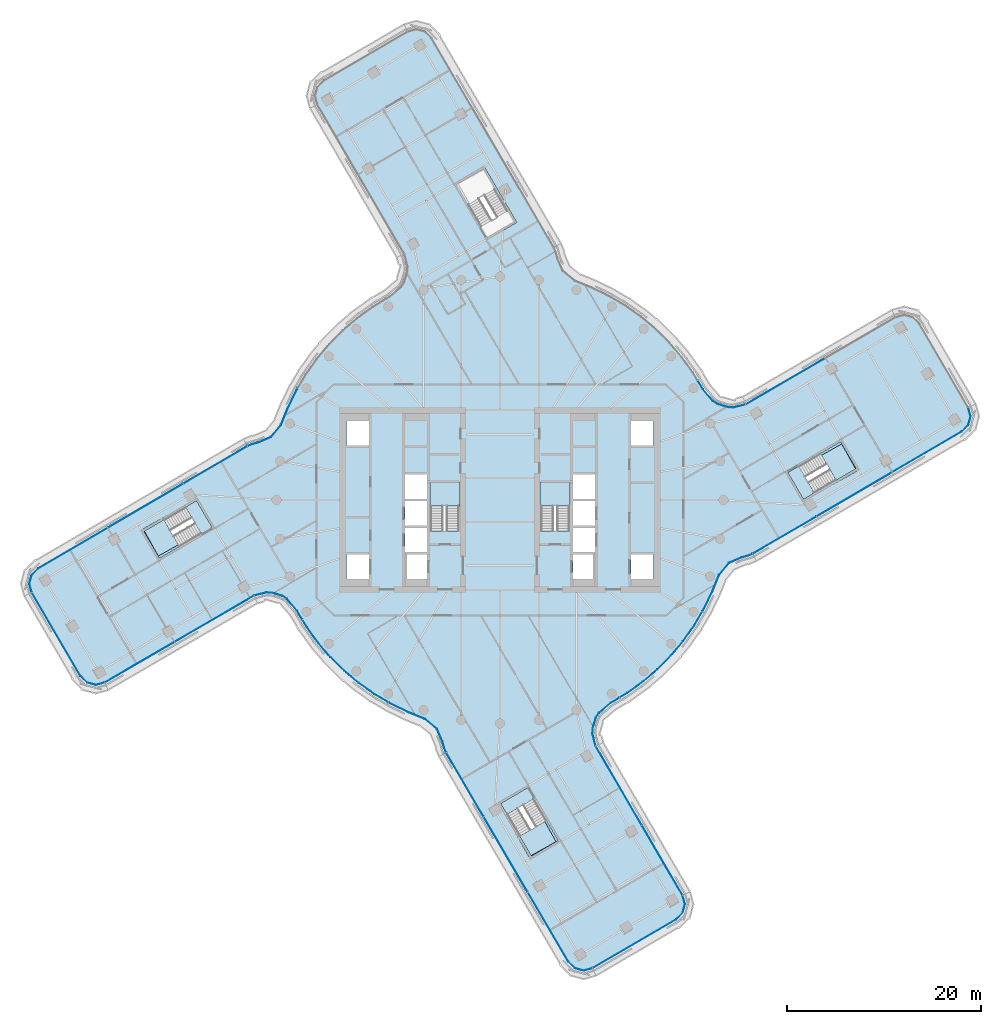
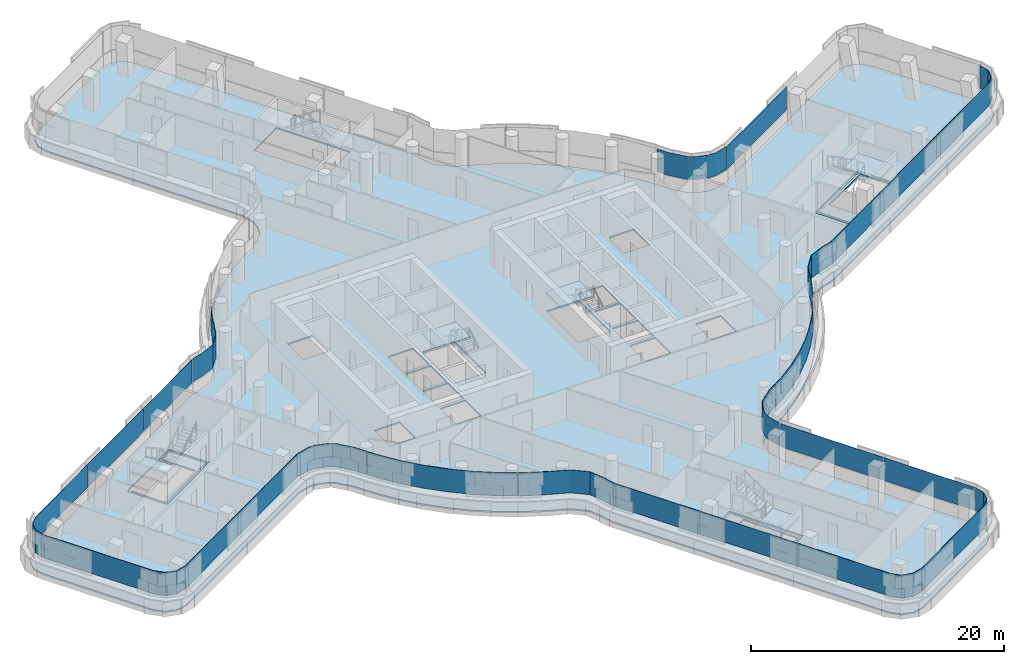
# One storey, part 19 of 35: 24 plates, 9 slabs, 17 elements without a shape of their own.
"""IFC4 building model written with IfcOpenShell, lengths in metres."""

from ifc_helpers import new_model, si_unit, direction, frame, origin, place, context, subcontext, project, spatial, polyline, outline, extrude, material, layer, layer_set, type_object, element, aggregate, save


model = new_model("IFC4")

# Units and contexts
model_context = context("Model", 3, precision=1e-05, world=origin(), true_north=direction((0.0, 1.0)))
body_context = subcontext(model_context, "Body", "Model", "MODEL_VIEW")
ifc_project = project(units=[si_unit("LENGTHUNIT", "METRE"), si_unit("AREAUNIT", "SQUARE_METRE"), si_unit("VOLUMEUNIT", "CUBIC_METRE"), si_unit("PLANEANGLEUNIT", "RADIAN"), si_unit("MASSUNIT", "GRAM", prefix="KILO")], contexts=[model_context])

# Site, building, storey
site_placement = place(None, origin())
site = spatial("IfcSite", under=ifc_project, at=site_placement, CompositionType="ELEMENT")
building_placement = place(site_placement, origin())
building = spatial("IfcBuilding", under=site, at=building_placement, Name="Tamarind Cross Interchange Tower", CompositionType="ELEMENT")
storey_placement = place(building_placement, frame((0.0, 0.0, 144.25)))
storey = spatial("IfcBuildingStorey", under=building, at=storey_placement, Name="L35", CompositionType="ELEMENT", Elevation=144.25)

# Slabs
ifc_material_1 = material(Name="Concrete C35", Category="concrete")
ifc_layer_1 = layer(ifc_material_1, 0.139892578125)
ifc_layer_set_1 = layer_set([ifc_layer_1], Name="Concrete C35")
slab_type_1 = type_object("IfcSlabType", Name="Composite slab 140 Concrete C35", PredefinedType="FLOOR", material=ifc_layer_set_1)
slab_1_placement = place(storey_placement, frame((0.0, 0.0, -0.139892578125)))
element("IfcSlab", 1, at=slab_1_placement, inside=storey, type_object=slab_type_1, Name="Floor slab L35", PredefinedType="FLOOR", context=body_context, shape_type="SweptSolid", body=[
    extrude(outline(polyline([(-25.61865234375, 5.9140625), (-26.10009765625, 5.711669921875), (-47.647216796875, -6.87890625), (-48.375244140625, -7.614990234375), (-48.637939453125, -8.6162109375), (-48.36474609375, -9.61474609375), (-43.319580078125, -18.248779296875), (-42.583740234375, -18.97705078125), (-41.58251953125, -19.23974609375), (-40.583740234375, -18.966552734375), (-25.22314453125, -10.033935546875), (-24.051025390625, -9.728759765625), (-23.52001953125, -9.739013671875), (-22.4931640625, -10.049560546875), (-22.04541015625, -10.335205078125), (-21.047607421875, -11.52294921875), (-20.031982421875, -13.2109375), (-18.87255859375, -14.820068359375), (-17.584228515625, -16.327880859375), (-16.17578125, -17.72412109375), (-14.656982421875, -18.99951171875), (-13.0380859375, -20.14501953125), (-11.329833984375, -21.15283203125), (-9.54443359375, -22.01611328125), (-7.82666015625, -22.7177734375), (-6.6376953125, -23.69580078125), (-6.096923828125, -24.9501953125), (-5.9140625, -25.61865234375), (-5.711669921875, -26.10009765625), (6.87890625, -47.647216796875), (7.614990234375, -48.375244140625), (8.6162109375, -48.637939453125), (9.61474609375, -48.36474609375), (18.248779296875, -43.319580078125), (18.97705078125, -42.583740234375), (19.23974609375, -41.58251953125), (18.966552734375, -40.583740234375), (10.033935546875, -25.22314453125), (9.728759765625, -24.051025390625), (9.739013671875, -23.52001953125), (10.049560546875, -22.4931640625), (10.335205078125, -22.04541015625), (11.52294921875, -21.047607421875), (13.2109375, -20.031982421875), (14.820068359375, -18.87255859375), (16.327880859375, -17.584228515625), (17.72412109375, -16.17578125), (18.99951171875, -14.656982421875), (20.14501953125, -13.0380859375), (21.15283203125, -11.329833984375), (22.01611328125, -9.54443359375), (22.7177734375, -7.82666015625), (23.69580078125, -6.6376953125), (24.9501953125, -6.096923828125), (25.61865234375, -5.9140625), (26.10009765625, -5.711669921875), (47.647216796875, 6.87890625), (48.375244140625, 7.614990234375), (48.637939453125, 8.6162109375), (48.36474609375, 9.61474609375), (43.319580078125, 18.248779296875), (42.583740234375, 18.97705078125), (41.58251953125, 19.23974609375), (40.583740234375, 18.966552734375), (25.22314453125, 10.033935546875), (24.051025390625, 9.728759765625), (23.52001953125, 9.739013671875), (22.4931640625, 10.049560546875), (22.04541015625, 10.335205078125), (21.047607421875, 11.52294921875), (20.031982421875, 13.2109375), (18.87255859375, 14.820068359375), (17.584228515625, 16.327880859375), (16.17578125, 17.72412109375), (14.656982421875, 18.99951171875), (13.0380859375, 20.14501953125), (11.329833984375, 21.15283203125), (9.54443359375, 22.01611328125), (7.82666015625, 22.7177734375), (6.6376953125, 23.69580078125), (6.096923828125, 24.9501953125), (5.9140625, 25.61865234375), (5.711669921875, 26.10009765625), (-6.87890625, 47.647216796875), (-7.614990234375, 48.375244140625), (-8.6162109375, 48.637939453125), (-9.61474609375, 48.36474609375), (-18.248779296875, 43.319580078125), (-18.97705078125, 42.583740234375), (-19.23974609375, 41.58251953125), (-18.966552734375, 40.583740234375), (-10.033935546875, 25.22314453125), (-9.728759765625, 24.051025390625), (-9.739013671875, 23.52001953125), (-10.049560546875, 22.4931640625), (-10.335205078125, 22.04541015625), (-11.52294921875, 21.047607421875), (-13.2109375, 20.031982421875), (-14.820068359375, 18.87255859375), (-16.327880859375, 17.584228515625), (-17.72412109375, 16.17578125), (-18.99951171875, 14.656982421875), (-20.14501953125, 13.0380859375), (-21.15283203125, 11.329833984375), (-22.01611328125, 9.54443359375), (-22.7177734375, 7.82666015625), (-23.69580078125, 6.6376953125), (-24.9501953125, 6.096923828125), (-25.61865234375, 5.9140625)]), holes=[polyline([(-7.5, -8.125), (-9.800048828125, -8.125), (-9.800048828125, -5.625), (-7.5, -5.625), (-7.5, -8.125)]), polyline([(-13.5, -8.125), (-15.800048828125, -8.125), (-15.800048828125, -5.625), (-13.5, -5.625), (-13.5, -8.125)]), polyline([(-33.85400390625, -1.3671875), (-31.15625, 0.208984375), (-31.055419921875, 0.036376953125), (-29.44091796875, -2.7265625), (-29.340087890625, -2.899169921875), (-35.124755859375, -6.279296875), (-35.2255859375, -6.106689453125), (-36.840087890625, -3.34375), (-36.94091796875, -3.171142578125), (-36.69482421875, -3.02734375), (-36.72412109375, -2.974853515625), (-33.85400390625, -1.3671875)]), polyline([(-7.5, -5.375), (-9.800048828125, -5.375), (-9.800048828125, -2.875), (-7.5, -2.875), (-7.5, -5.375)]), polyline([(-7.5, -2.625), (-9.800048828125, -2.625), (-9.800048828125, -0.125), (-7.5, -0.125), (-7.5, -2.625)]), polyline([(-4.199951171875, 1.800048828125), (-4.199951171875, -3.18798828125), (-7.14990234375, -3.18798828125), (-7.14990234375, 1.800048828125), (-4.199951171875, 1.800048828125)]), polyline([(-7.5, 0.125), (-9.800048828125, 0.125), (-9.800048828125, 2.625), (-7.5, 2.625), (-7.5, 0.125)]), polyline([(-13.5, 5.625), (-15.800048828125, 5.625), (-15.800048828125, 8.125), (-13.5, 8.125), (-13.5, 5.625)]), polyline([(-1.3671875, 33.85400390625), (1.72265625, 28.56591796875), (1.550048828125, 28.465087890625), (-1.212890625, 26.8505859375), (-1.385498046875, 26.749755859375), (-4.765869140625, 32.534423828125), (-4.59326171875, 32.635498046875), (-1.830322265625, 34.25), (-1.65771484375, 34.350830078125), (-1.513427734375, 34.104248046875), (-1.5087890625, 34.106689453125), (-1.3671875, 33.85400390625)]), polyline([(1.3671875, -33.85400390625), (-0.208984375, -31.15625), (-0.036376953125, -31.055419921875), (2.7265625, -29.44091796875), (2.899169921875, -29.340087890625), (6.279296875, -35.124755859375), (6.106689453125, -35.2255859375), (3.34375, -36.840087890625), (3.171142578125, -36.94091796875), (3.02734375, -36.69482421875), (2.974853515625, -36.72412109375), (1.3671875, -33.85400390625)]), polyline([(13.5, -5.625), (15.800048828125, -5.625), (15.800048828125, -8.125), (13.5, -8.125), (13.5, -5.625)]), polyline([(7.5, -5.625), (9.800048828125, -5.625), (9.800048828125, -8.125), (7.5, -8.125), (7.5, -5.625)]), polyline([(7.5, -2.875), (9.800048828125, -2.875), (9.800048828125, -5.375), (7.5, -5.375), (7.5, -2.875)]), polyline([(7.5, -0.125), (9.800048828125, -0.125), (9.800048828125, -2.625), (7.5, -2.625), (7.5, -0.125)]), polyline([(7.14990234375, 1.800048828125), (7.14990234375, -3.18798828125), (4.199951171875, -3.18798828125), (4.199951171875, 1.800048828125), (7.14990234375, 1.800048828125)]), polyline([(7.5, 2.625), (9.800048828125, 2.625), (9.800048828125, 0.125), (7.5, 0.125), (7.5, 2.625)]), polyline([(31.15625, -0.208984375), (31.055419921875, -0.036376953125), (29.44091796875, 2.7265625), (29.340087890625, 2.899169921875), (35.124755859375, 6.279296875), (35.2255859375, 6.106689453125), (36.840087890625, 3.34375), (36.94091796875, 3.171142578125), (36.69482421875, 3.02734375), (36.72412109375, 2.974853515625), (33.85400390625, 1.3671875), (31.15625, -0.208984375)]), polyline([(15.800048828125, 8.125), (15.800048828125, 5.625), (13.5, 5.625), (13.5, 8.125), (15.800048828125, 8.125)])]), origin(), (0.0, 0.0, 1.0), 0.139892578125),
])
slab_2_placement = place(storey_placement, frame((0.0, 0.0, -0.139892578125)))
element("IfcSlab", 2, at=slab_2_placement, inside=storey, type_object=slab_type_1, Name="Floor slab L35", PredefinedType="FLOOR", context=body_context, shape_type="SweptSolid", body=[
    extrude(outline(polyline([(-36.66748046875, -3.242919921875), (-35.052978515625, -6.005859375), (-29.613525390625, -2.827392578125), (-31.22802734375, -0.064453125), (-32.36083984375, -0.726318359375), (-30.83203125, -3.342529296875), (-35.160400390625, -5.766845703125), (-36.596923828125, -3.201904296875), (-36.66748046875, -3.242919921875)])), origin(), (0.0, 0.0, 1.0), 0.139892578125),
])
slab_3_placement = place(storey_placement, frame((0.0, 0.0, -0.139892578125)))
element("IfcSlab", 3, at=slab_3_placement, inside=storey, type_object=slab_type_1, Name="Floor slab L35", PredefinedType="FLOOR", context=body_context, shape_type="SweptSolid", body=[
    extrude(outline(polyline([(3.242919921875, -36.66748046875), (6.005859375, -35.052978515625), (2.827392578125, -29.613525390625), (0.064453125, -31.22802734375), (0.726318359375, -32.36083984375), (3.342529296875, -30.83203125), (5.766845703125, -35.160400390625), (3.201904296875, -36.596923828125), (3.242919921875, -36.66748046875)])), origin(), (0.0, 0.0, 1.0), 0.139892578125),
])
slab_4_placement = place(storey_placement, frame((0.0, 0.0, -0.139892578125)))
element("IfcSlab", 4, at=slab_4_placement, inside=storey, type_object=slab_type_1, Name="Floor slab L35", PredefinedType="FLOOR", context=body_context, shape_type="SweptSolid", body=[
    extrude(outline(polyline([(36.66748046875, 3.242919921875), (35.052978515625, 6.005859375), (29.613525390625, 2.827392578125), (31.22802734375, 0.064453125), (32.36083984375, 0.726318359375), (30.83203125, 3.342529296875), (35.160400390625, 5.766845703125), (36.596923828125, 3.201904296875), (36.66748046875, 3.242919921875)])), origin(), (0.0, 0.0, 1.0), 0.139892578125),
])

# Stair, slab
ifc_material_2 = material(Name="Exit stair")
stair_type = type_object("IfcStairType", Name="Exit stair", PredefinedType="HALF_TURN_STAIR", material=ifc_material_2)
stair_1_placement = place(storey_placement, origin())
stair_1 = element("IfcStair", 5, at=stair_1_placement, inside=storey, type_object=stair_type, Name="L35 exit stair ST1", PredefinedType="HALF_TURN_STAIR")
ifc_material_3 = material(Name="Concrete C40", Category="concrete")
ifc_layer_2 = layer(ifc_material_3, 0.199951171875)
ifc_layer_set_2 = layer_set([ifc_layer_2], Name="Concrete C40")
slab_type_2 = type_object("IfcSlabType", Name="Stair landing", PredefinedType="LANDING", material=ifc_layer_set_2)
slab_5_placement = place(storey_placement, frame((0.0, 0.0, 1.675048828125)))
slab_5 = element("IfcSlab", 6, at=slab_5_placement, type_object=slab_type_2, Name="ST1 landing 1", PredefinedType="LANDING", context=body_context, shape_type="SweptSolid", body=[
    extrude(outline(polyline([(-4.10009765625, -0.60009765625), (-4.10009765625, 1.800048828125), (-7.199951171875, 1.800048828125), (-7.199951171875, -0.60009765625), (-4.10009765625, -0.60009765625)])), origin(), (0.0, 0.0, 1.0), 0.199951171875),
])
aggregate(stair_1, [slab_5])

stair_2_placement = place(storey_placement, origin())
stair_2 = element("IfcStair", 7, at=stair_2_placement, inside=storey, type_object=stair_type, Name="L35 exit stair ST2", PredefinedType="HALF_TURN_STAIR")
slab_6_placement = place(storey_placement, frame((0.0, 0.0, 1.675048828125)))
slab_6 = element("IfcSlab", 8, at=slab_6_placement, type_object=slab_type_2, Name="ST2 landing 1", PredefinedType="LANDING", context=body_context, shape_type="SweptSolid", body=[
    extrude(outline(polyline([(7.199951171875, -0.60009765625), (7.199951171875, 1.800048828125), (4.10009765625, 1.800048828125), (4.10009765625, -0.60009765625), (7.199951171875, -0.60009765625)])), origin(), (0.0, 0.0, 1.0), 0.199951171875),
])
aggregate(stair_2, [slab_6])

stair_3_placement = place(storey_placement, origin())
stair_3 = element("IfcStair", 9, at=stair_3_placement, inside=storey, type_object=stair_type, Name="L35 exit stair ST3", PredefinedType="HALF_TURN_STAIR")
slab_7_placement = place(storey_placement, frame((0.0, 0.0, 1.675048828125)))
slab_7 = element("IfcSlab", 10, at=slab_7_placement, type_object=slab_type_2, Name="ST3 landing 1", PredefinedType="LANDING", context=body_context, shape_type="SweptSolid", body=[
    extrude(outline(polyline([(34.5849609375, 2.026123046875), (36.66748046875, 3.242919921875), (35.052978515625, 6.005859375), (32.970458984375, 4.788818359375), (34.5849609375, 2.026123046875)])), origin(), (0.0, 0.0, 1.0), 0.199951171875),
])
aggregate(stair_3, [slab_7])

stair_4_placement = place(storey_placement, origin())
stair_4 = element("IfcStair", 11, at=stair_4_placement, inside=storey, type_object=stair_type, Name="L35 exit stair ST5", PredefinedType="HALF_TURN_STAIR")
slab_8_placement = place(storey_placement, frame((0.0, 0.0, 1.675048828125)))
slab_8 = element("IfcSlab", 12, at=slab_8_placement, type_object=slab_type_2, Name="ST5 landing 1", PredefinedType="LANDING", context=body_context, shape_type="SweptSolid", body=[
    extrude(outline(polyline([(-34.5849609375, -2.026123046875), (-36.66748046875, -3.242919921875), (-35.052978515625, -6.005859375), (-32.970458984375, -4.788818359375), (-34.5849609375, -2.026123046875)])), origin(), (0.0, 0.0, 1.0), 0.199951171875),
])
aggregate(stair_4, [slab_8])

stair_5_placement = place(storey_placement, origin())
stair_5 = element("IfcStair", 13, at=stair_5_placement, inside=storey, type_object=stair_type, Name="L35 exit stair ST6", PredefinedType="HALF_TURN_STAIR")
slab_9_placement = place(storey_placement, frame((0.0, 0.0, 1.675048828125)))
slab_9 = element("IfcSlab", 14, at=slab_9_placement, type_object=slab_type_2, Name="ST6 landing 1", PredefinedType="LANDING", context=body_context, shape_type="SweptSolid", body=[
    extrude(outline(polyline([(2.026123046875, -34.5849609375), (3.242919921875, -36.66748046875), (6.005859375, -35.052978515625), (4.788818359375, -32.970458984375), (2.026123046875, -34.5849609375)])), origin(), (0.0, 0.0, 1.0), 0.199951171875),
])
aggregate(stair_5, [slab_9])

# Curtain wall, plate
ifc_material_4 = material(Name="Aluminium 6063-T6", Category="aluminium")
ifc_layer_3 = layer(ifc_material_4, 0.159912109375)
ifc_layer_set_3 = layer_set([ifc_layer_3], Name="Aluminium 6063-T6")
curtain_wall_type = type_object("IfcCurtainWallType", Name="Office curtain wall, 9.0 m bays", PredefinedType="NOTDEFINED", material=ifc_layer_set_3)
curtain_wall_1_placement = place(storey_placement, origin())
curtain_wall_1 = element("IfcCurtainWall", 15, at=curtain_wall_1_placement, inside=storey, type_object=curtain_wall_type, Name="CWS-L35-00", PredefinedType="NOTDEFINED")
ifc_material_5 = material(Name="Laminated low-e glass 8+1.52+8", Category="glass")
ifc_layer_4 = layer(ifc_material_5, 0.028076171875)
ifc_layer_set_4 = layer_set([ifc_layer_4], Name="Laminated low-e glass 8+1.52+8")
plate_type = type_object("IfcPlateType", Name="Vision panel CW1", PredefinedType="CURTAIN_PANEL", material=ifc_layer_set_4)
plate_1_placement = place(storey_placement, frame((0.0, 0.0, 1.39990234375)))
plate_1 = element("IfcPlate", 16, at=plate_1_placement, type_object=plate_type, Name="CWP-L35-00-00", PredefinedType="CURTAIN_PANEL", context=body_context, shape_type="SweptSolid", body=[
    extrude(outline(polyline([(-48.151611328125, -9.555419921875), (-43.149169921875, -18.116455078125), (-42.47412109375, -18.78466796875), (-41.58349609375, -19.018310546875), (-40.6943359375, -18.77490234375), (-40.68701171875, -18.802001953125), (-41.58349609375, -19.04736328125), (-42.488525390625, -18.809814453125), (-43.17138671875, -18.1337890625), (-48.17578125, -9.569580078125), (-48.151611328125, -9.555419921875)])), origin(), (0.0, 0.0, 1.0), 2.210205078125),
])
aggregate(curtain_wall_1, [plate_1])

# Curtain wall, plates
curtain_wall_2_placement = place(storey_placement, origin())
curtain_wall_2 = element("IfcCurtainWall", 17, at=curtain_wall_2_placement, inside=storey, type_object=curtain_wall_type, Name="CWS-L35-01", PredefinedType="NOTDEFINED")
plate_2_placement = place(storey_placement, frame((0.0, 0.0, 1.39990234375)))
plate_2 = element("IfcPlate", 18, at=plate_2_placement, type_object=plate_type, Name="CWP-L35-01-00", PredefinedType="CURTAIN_PANEL", context=body_context, shape_type="SweptSolid", body=[
    extrude(outline(polyline([(-40.642822265625, -18.75341796875), (-33.5068359375, -14.603515625), (-33.492919921875, -14.6279296875), (-40.62890625, -18.777587890625), (-40.642822265625, -18.75341796875)])), origin(), (0.0, 0.0, 1.0), 2.210205078125),
])
plate_3_placement = place(storey_placement, frame((0.0, 0.0, 1.39990234375)))
plate_3 = element("IfcPlate", 19, at=plate_3_placement, type_object=plate_type, Name="CWP-L35-01-01", PredefinedType="CURTAIN_PANEL", context=body_context, shape_type="SweptSolid", body=[
    extrude(outline(polyline([(-33.455078125, -14.573486328125), (-25.3330078125, -9.850341796875), (-25.31884765625, -9.87451171875), (-33.44091796875, -14.59765625), (-33.455078125, -14.573486328125)])), origin(), (0.0, 0.0, 1.0), 2.210205078125),
])
aggregate(curtain_wall_2, [plate_2, plate_3])

curtain_wall_3_placement = place(storey_placement, origin())
curtain_wall_3 = element("IfcCurtainWall", 20, at=curtain_wall_3_placement, inside=storey, type_object=curtain_wall_type, Name="CWS-L35-02", PredefinedType="NOTDEFINED")
plate_4_placement = place(storey_placement, frame((0.0, 0.0, 1.39990234375)))
plate_4 = element("IfcPlate", 21, at=plate_4_placement, type_object=plate_type, Name="CWP-L35-02-00", PredefinedType="CURTAIN_PANEL", context=body_context, shape_type="SweptSolid", body=[
    extrude(outline(polyline([(-25.2744140625, -9.826171875), (-24.076416015625, -9.51416015625), (-23.486328125, -9.525634765625), (-22.403076171875, -9.853271484375), (-21.902587890625, -10.17236328125), (-20.873046875, -11.398193359375), (-20.341064453125, -12.2822265625), (-20.364990234375, -12.296630859375), (-20.895751953125, -11.41455078125), (-21.92138671875, -10.19384765625), (-22.414794921875, -9.87890625), (-23.49072265625, -9.5537109375), (-24.072998046875, -9.542236328125), (-25.267333984375, -9.853271484375), (-25.2744140625, -9.826171875)])), origin(), (0.0, 0.0, 1.0), 2.210205078125),
])
plate_5_placement = place(storey_placement, frame((0.0, 0.0, 1.39990234375)))
plate_5 = element("IfcPlate", 22, at=plate_5_placement, type_object=plate_type, Name="CWP-L35-02-01", PredefinedType="CURTAIN_PANEL", context=body_context, shape_type="SweptSolid", body=[
    extrude(outline(polyline([(-20.31005859375, -12.333740234375), (-19.85302734375, -13.093017578125), (-18.7041015625, -14.687744140625), (-17.42724609375, -16.18212890625), (-16.031494140625, -17.56591796875), (-14.526123046875, -18.829833984375), (-12.921630859375, -19.965087890625), (-11.51220703125, -20.796630859375), (-11.5263671875, -20.82080078125), (-12.936767578125, -19.988525390625), (-14.543212890625, -18.85205078125), (-16.05029296875, -17.586669921875), (-17.44775390625, -16.201171875), (-18.72607421875, -14.705078125), (-19.87646484375, -13.1083984375), (-20.333984375, -12.34814453125), (-20.31005859375, -12.333740234375)])), origin(), (0.0, 0.0, 1.0), 2.210205078125),
])
plate_6_placement = place(storey_placement, frame((0.0, 0.0, 1.39990234375)))
plate_6 = element("IfcPlate", 23, at=plate_6_placement, type_object=plate_type, Name="CWP-L35-02-02", PredefinedType="CURTAIN_PANEL", context=body_context, shape_type="SweptSolid", body=[
    extrude(outline(polyline([(-11.46044921875, -20.8271484375), (-11.228759765625, -20.9638671875), (-9.457275390625, -21.820556640625), (-7.715576171875, -22.531982421875), (-6.461669921875, -23.5634765625), (-5.89453125, -24.879150390625), (-5.71142578125, -25.548583984375), (-5.53125, -25.977294921875), (-5.556884765625, -25.988037109375), (-5.73779296875, -25.557861328125), (-5.9208984375, -24.888427734375), (-6.48486328125, -23.580810546875), (-7.730224609375, -22.55615234375), (-9.46875, -21.84619140625), (-11.241943359375, -20.98876953125), (-11.474853515625, -20.851318359375), (-11.46044921875, -20.8271484375)])), origin(), (0.0, 0.0, 1.0), 2.210205078125),
])
aggregate(curtain_wall_3, [plate_4, plate_5, plate_6])

curtain_wall_4_placement = place(storey_placement, origin())
curtain_wall_4 = element("IfcCurtainWall", 24, at=curtain_wall_4_placement, inside=storey, type_object=curtain_wall_type, Name="CWS-L35-03", PredefinedType="NOTDEFINED")
plate_7_placement = place(storey_placement, frame((0.0, 0.0, 1.39990234375)))
plate_7 = element("IfcPlate", 25, at=plate_7_placement, type_object=plate_type, Name="CWP-L35-03-00", PredefinedType="CURTAIN_PANEL", context=body_context, shape_type="SweptSolid", body=[
    extrude(outline(polyline([(-5.505126953125, -26.029296875), (-1.68603515625, -32.56494140625), (-1.71044921875, -32.5791015625), (-5.529296875, -26.043212890625), (-5.505126953125, -26.029296875)])), origin(), (0.0, 0.0, 1.0), 2.210205078125),
])
plate_8_placement = place(storey_placement, frame((0.0, 0.0, 1.39990234375)))
plate_8 = element("IfcPlate", 26, at=plate_8_placement, type_object=plate_type, Name="CWP-L35-03-01", PredefinedType="CURTAIN_PANEL", context=body_context, shape_type="SweptSolid", body=[
    extrude(outline(polyline([(-1.65576171875, -32.61669921875), (2.847412109375, -40.3232421875), (2.8232421875, -40.33740234375), (-1.68017578125, -32.630859375), (-1.65576171875, -32.61669921875)])), origin(), (0.0, 0.0, 1.0), 2.210205078125),
])
plate_9_placement = place(storey_placement, frame((0.0, 0.0, 1.39990234375)))
plate_9 = element("IfcPlate", 27, at=plate_9_placement, type_object=plate_type, Name="CWP-L35-03-02", PredefinedType="CURTAIN_PANEL", context=body_context, shape_type="SweptSolid", body=[
    extrude(outline(polyline([(2.877685546875, -40.375), (7.049560546875, -47.514892578125), (7.724609375, -48.182861328125), (8.614990234375, -48.41650390625), (9.504150390625, -48.17333984375), (9.511474609375, -48.2001953125), (8.615234375, -48.445556640625), (7.710205078125, -48.2080078125), (7.02734375, -47.531982421875), (2.853515625, -40.38916015625), (2.877685546875, -40.375)])), origin(), (0.0, 0.0, 1.0), 2.210205078125),
])
aggregate(curtain_wall_4, [plate_7, plate_8, plate_9])

# Curtain wall, plate
curtain_wall_5_placement = place(storey_placement, origin())
curtain_wall_5 = element("IfcCurtainWall", 28, at=curtain_wall_5_placement, inside=storey, type_object=curtain_wall_type, Name="CWS-L35-04", PredefinedType="NOTDEFINED")
plate_10_placement = place(storey_placement, frame((0.0, 0.0, 1.39990234375)))
plate_10 = element("IfcPlate", 29, at=plate_10_placement, type_object=plate_type, Name="CWP-L35-04-00", PredefinedType="CURTAIN_PANEL", context=body_context, shape_type="SweptSolid", body=[
    extrude(outline(polyline([(9.555419921875, -48.151611328125), (18.116455078125, -43.149169921875), (18.78466796875, -42.47412109375), (19.018310546875, -41.58349609375), (18.77490234375, -40.6943359375), (18.802001953125, -40.68701171875), (19.04736328125, -41.58349609375), (18.809814453125, -42.488525390625), (18.1337890625, -43.17138671875), (9.569580078125, -48.17578125), (9.555419921875, -48.151611328125)])), origin(), (0.0, 0.0, 1.0), 2.210205078125),
])
aggregate(curtain_wall_5, [plate_10])

# Curtain wall, plates
curtain_wall_6_placement = place(storey_placement, origin())
curtain_wall_6 = element("IfcCurtainWall", 30, at=curtain_wall_6_placement, inside=storey, type_object=curtain_wall_type, Name="CWS-L35-05", PredefinedType="NOTDEFINED")
plate_11_placement = place(storey_placement, frame((0.0, 0.0, 1.39990234375)))
plate_11 = element("IfcPlate", 31, at=plate_11_placement, type_object=plate_type, Name="CWP-L35-05-00", PredefinedType="CURTAIN_PANEL", context=body_context, shape_type="SweptSolid", body=[
    extrude(outline(polyline([(18.75341796875, -40.642822265625), (14.603515625, -33.5068359375), (14.6279296875, -33.492919921875), (18.777587890625, -40.62890625), (18.75341796875, -40.642822265625)])), origin(), (0.0, 0.0, 1.0), 2.210205078125),
])
plate_12_placement = place(storey_placement, frame((0.0, 0.0, 1.39990234375)))
plate_12 = element("IfcPlate", 32, at=plate_12_placement, type_object=plate_type, Name="CWP-L35-05-01", PredefinedType="CURTAIN_PANEL", context=body_context, shape_type="SweptSolid", body=[
    extrude(outline(polyline([(14.573486328125, -33.455078125), (9.850341796875, -25.3330078125), (9.87451171875, -25.31884765625), (14.59765625, -33.44091796875), (14.573486328125, -33.455078125)])), origin(), (0.0, 0.0, 1.0), 2.210205078125),
])
aggregate(curtain_wall_6, [plate_11, plate_12])

curtain_wall_7_placement = place(storey_placement, origin())
curtain_wall_7 = element("IfcCurtainWall", 33, at=curtain_wall_7_placement, inside=storey, type_object=curtain_wall_type, Name="CWS-L35-06", PredefinedType="NOTDEFINED")
plate_13_placement = place(storey_placement, frame((0.0, 0.0, 1.39990234375)))
plate_13 = element("IfcPlate", 34, at=plate_13_placement, type_object=plate_type, Name="CWP-L35-06-00", PredefinedType="CURTAIN_PANEL", context=body_context, shape_type="SweptSolid", body=[
    extrude(outline(polyline([(9.826171875, -25.2744140625), (9.51416015625, -24.076416015625), (9.525634765625, -23.486328125), (9.853271484375, -22.403076171875), (10.17236328125, -21.902587890625), (11.398193359375, -20.873046875), (12.2822265625, -20.341064453125), (12.296630859375, -20.364990234375), (11.41455078125, -20.895751953125), (10.19384765625, -21.92138671875), (9.87890625, -22.414794921875), (9.5537109375, -23.49072265625), (9.542236328125, -24.072998046875), (9.853271484375, -25.267333984375), (9.826171875, -25.2744140625)])), origin(), (0.0, 0.0, 1.0), 2.210205078125),
])
plate_14_placement = place(storey_placement, frame((0.0, 0.0, 1.39990234375)))
plate_14 = element("IfcPlate", 35, at=plate_14_placement, type_object=plate_type, Name="CWP-L35-06-01", PredefinedType="CURTAIN_PANEL", context=body_context, shape_type="SweptSolid", body=[
    extrude(outline(polyline([(12.333740234375, -20.31005859375), (13.093017578125, -19.85302734375), (14.687744140625, -18.7041015625), (16.18212890625, -17.42724609375), (17.56591796875, -16.031494140625), (18.829833984375, -14.526123046875), (19.965087890625, -12.921630859375), (20.796630859375, -11.51220703125), (20.82080078125, -11.5263671875), (19.988525390625, -12.936767578125), (18.85205078125, -14.543212890625), (17.586669921875, -16.05029296875), (16.201171875, -17.44775390625), (14.705078125, -18.72607421875), (13.1083984375, -19.87646484375), (12.34814453125, -20.333984375), (12.333740234375, -20.31005859375)])), origin(), (0.0, 0.0, 1.0), 2.210205078125),
])
plate_15_placement = place(storey_placement, frame((0.0, 0.0, 1.39990234375)))
plate_15 = element("IfcPlate", 36, at=plate_15_placement, type_object=plate_type, Name="CWP-L35-06-02", PredefinedType="CURTAIN_PANEL", context=body_context, shape_type="SweptSolid", body=[
    extrude(outline(polyline([(20.8271484375, -11.46044921875), (20.9638671875, -11.228759765625), (21.820556640625, -9.457275390625), (22.531982421875, -7.715576171875), (23.5634765625, -6.461669921875), (24.879150390625, -5.89453125), (25.548583984375, -5.71142578125), (25.977294921875, -5.53125), (25.988037109375, -5.556884765625), (25.557861328125, -5.73779296875), (24.888427734375, -5.9208984375), (23.580810546875, -6.48486328125), (22.55615234375, -7.730224609375), (21.84619140625, -9.46875), (20.98876953125, -11.241943359375), (20.851318359375, -11.474853515625), (20.8271484375, -11.46044921875)])), origin(), (0.0, 0.0, 1.0), 2.210205078125),
])
aggregate(curtain_wall_7, [plate_13, plate_14, plate_15])

curtain_wall_8_placement = place(storey_placement, origin())
curtain_wall_8 = element("IfcCurtainWall", 37, at=curtain_wall_8_placement, inside=storey, type_object=curtain_wall_type, Name="CWS-L35-07", PredefinedType="NOTDEFINED")
plate_16_placement = place(storey_placement, frame((0.0, 0.0, 1.39990234375)))
plate_16 = element("IfcPlate", 38, at=plate_16_placement, type_object=plate_type, Name="CWP-L35-07-00", PredefinedType="CURTAIN_PANEL", context=body_context, shape_type="SweptSolid", body=[
    extrude(outline(polyline([(26.029296875, -5.505126953125), (32.56494140625, -1.68603515625), (32.5791015625, -1.71044921875), (26.043212890625, -5.529296875), (26.029296875, -5.505126953125)])), origin(), (0.0, 0.0, 1.0), 2.210205078125),
])
plate_17_placement = place(storey_placement, frame((0.0, 0.0, 1.39990234375)))
plate_17 = element("IfcPlate", 39, at=plate_17_placement, type_object=plate_type, Name="CWP-L35-07-01", PredefinedType="CURTAIN_PANEL", context=body_context, shape_type="SweptSolid", body=[
    extrude(outline(polyline([(32.61669921875, -1.65576171875), (40.3232421875, 2.847412109375), (40.33740234375, 2.8232421875), (32.630859375, -1.68017578125), (32.61669921875, -1.65576171875)])), origin(), (0.0, 0.0, 1.0), 2.210205078125),
])
plate_18_placement = place(storey_placement, frame((0.0, 0.0, 1.39990234375)))
plate_18 = element("IfcPlate", 40, at=plate_18_placement, type_object=plate_type, Name="CWP-L35-07-02", PredefinedType="CURTAIN_PANEL", context=body_context, shape_type="SweptSolid", body=[
    extrude(outline(polyline([(40.375, 2.877685546875), (47.514892578125, 7.049560546875), (48.182861328125, 7.724609375), (48.41650390625, 8.614990234375), (48.17333984375, 9.504150390625), (48.2001953125, 9.511474609375), (48.445556640625, 8.615234375), (48.2080078125, 7.710205078125), (47.531982421875, 7.02734375), (40.38916015625, 2.853515625), (40.375, 2.877685546875)])), origin(), (0.0, 0.0, 1.0), 2.210205078125),
])
aggregate(curtain_wall_8, [plate_16, plate_17, plate_18])

# Curtain wall, plate
curtain_wall_9_placement = place(storey_placement, origin())
curtain_wall_9 = element("IfcCurtainWall", 41, at=curtain_wall_9_placement, inside=storey, type_object=curtain_wall_type, Name="CWS-L35-09", PredefinedType="NOTDEFINED")
plate_19_placement = place(storey_placement, frame((0.0, 0.0, 1.39990234375)))
plate_19 = element("IfcPlate", 42, at=plate_19_placement, type_object=plate_type, Name="CWP-L35-09-01", PredefinedType="CURTAIN_PANEL", context=body_context, shape_type="SweptSolid", body=[
    extrude(outline(polyline([(33.455078125, 14.573486328125), (25.3330078125, 9.850341796875), (25.31884765625, 9.87451171875), (33.44091796875, 14.59765625), (33.455078125, 14.573486328125)])), origin(), (0.0, 0.0, 1.0), 2.210205078125),
])
aggregate(curtain_wall_9, [plate_19])

curtain_wall_10_placement = place(storey_placement, origin())
curtain_wall_10 = element("IfcCurtainWall", 43, at=curtain_wall_10_placement, inside=storey, type_object=curtain_wall_type, Name="CWS-L35-10", PredefinedType="NOTDEFINED")
plate_20_placement = place(storey_placement, frame((0.0, 0.0, 1.39990234375)))
plate_20 = element("IfcPlate", 44, at=plate_20_placement, type_object=plate_type, Name="CWP-L35-10-00", PredefinedType="CURTAIN_PANEL", context=body_context, shape_type="SweptSolid", body=[
    extrude(outline(polyline([(25.2744140625, 9.826171875), (24.076416015625, 9.51416015625), (23.486328125, 9.525634765625), (22.403076171875, 9.853271484375), (21.902587890625, 10.17236328125), (20.873046875, 11.398193359375), (20.341064453125, 12.2822265625), (20.364990234375, 12.296630859375), (20.895751953125, 11.41455078125), (21.92138671875, 10.19384765625), (22.414794921875, 9.87890625), (23.49072265625, 9.5537109375), (24.072998046875, 9.542236328125), (25.267333984375, 9.853271484375), (25.2744140625, 9.826171875)])), origin(), (0.0, 0.0, 1.0), 2.210205078125),
])
aggregate(curtain_wall_10, [plate_20])

curtain_wall_11_placement = place(storey_placement, origin())
curtain_wall_11 = element("IfcCurtainWall", 45, at=curtain_wall_11_placement, inside=storey, type_object=curtain_wall_type, Name="CWS-L35-14", PredefinedType="NOTDEFINED")
plate_21_placement = place(storey_placement, frame((0.0, 0.0, 1.39990234375)))
plate_21 = element("IfcPlate", 46, at=plate_21_placement, type_object=plate_type, Name="CWP-L35-14-02", PredefinedType="CURTAIN_PANEL", context=body_context, shape_type="SweptSolid", body=[
    extrude(outline(polyline([(-20.8271484375, 11.46044921875), (-20.9638671875, 11.228759765625), (-21.820556640625, 9.457275390625), (-22.531982421875, 7.715576171875), (-23.5634765625, 6.461669921875), (-24.879150390625, 5.89453125), (-25.548583984375, 5.71142578125), (-25.977294921875, 5.53125), (-25.988037109375, 5.556884765625), (-25.557861328125, 5.73779296875), (-24.888427734375, 5.9208984375), (-23.580810546875, 6.48486328125), (-22.55615234375, 7.730224609375), (-21.84619140625, 9.46875), (-20.98876953125, 11.241943359375), (-20.851318359375, 11.474853515625), (-20.8271484375, 11.46044921875)])), origin(), (0.0, 0.0, 1.0), 2.210205078125),
])
aggregate(curtain_wall_11, [plate_21])

# Curtain wall, plates
curtain_wall_12_placement = place(storey_placement, origin())
curtain_wall_12 = element("IfcCurtainWall", 47, at=curtain_wall_12_placement, inside=storey, type_object=curtain_wall_type, Name="CWS-L35-15", PredefinedType="NOTDEFINED")
plate_22_placement = place(storey_placement, frame((0.0, 0.0, 1.39990234375)))
plate_22 = element("IfcPlate", 48, at=plate_22_placement, type_object=plate_type, Name="CWP-L35-15-00", PredefinedType="CURTAIN_PANEL", context=body_context, shape_type="SweptSolid", body=[
    extrude(outline(polyline([(-26.029296875, 5.505126953125), (-32.56494140625, 1.68603515625), (-32.5791015625, 1.71044921875), (-26.043212890625, 5.529296875), (-26.029296875, 5.505126953125)])), origin(), (0.0, 0.0, 1.0), 2.210205078125),
])
plate_23_placement = place(storey_placement, frame((0.0, 0.0, 1.39990234375)))
plate_23 = element("IfcPlate", 49, at=plate_23_placement, type_object=plate_type, Name="CWP-L35-15-01", PredefinedType="CURTAIN_PANEL", context=body_context, shape_type="SweptSolid", body=[
    extrude(outline(polyline([(-32.61669921875, 1.65576171875), (-40.3232421875, -2.847412109375), (-40.33740234375, -2.8232421875), (-32.630859375, 1.68017578125), (-32.61669921875, 1.65576171875)])), origin(), (0.0, 0.0, 1.0), 2.210205078125),
])
plate_24_placement = place(storey_placement, frame((0.0, 0.0, 1.39990234375)))
plate_24 = element("IfcPlate", 50, at=plate_24_placement, type_object=plate_type, Name="CWP-L35-15-02", PredefinedType="CURTAIN_PANEL", context=body_context, shape_type="SweptSolid", body=[
    extrude(outline(polyline([(-40.375, -2.877685546875), (-47.514892578125, -7.049560546875), (-48.182861328125, -7.724609375), (-48.41650390625, -8.614990234375), (-48.17333984375, -9.504150390625), (-48.2001953125, -9.511474609375), (-48.445556640625, -8.615234375), (-48.2080078125, -7.710205078125), (-47.531982421875, -7.02734375), (-40.38916015625, -2.853515625), (-40.375, -2.877685546875)])), origin(), (0.0, 0.0, 1.0), 2.210205078125),
])
aggregate(curtain_wall_12, [plate_22, plate_23, plate_24])

save(model, "model.ifc")
